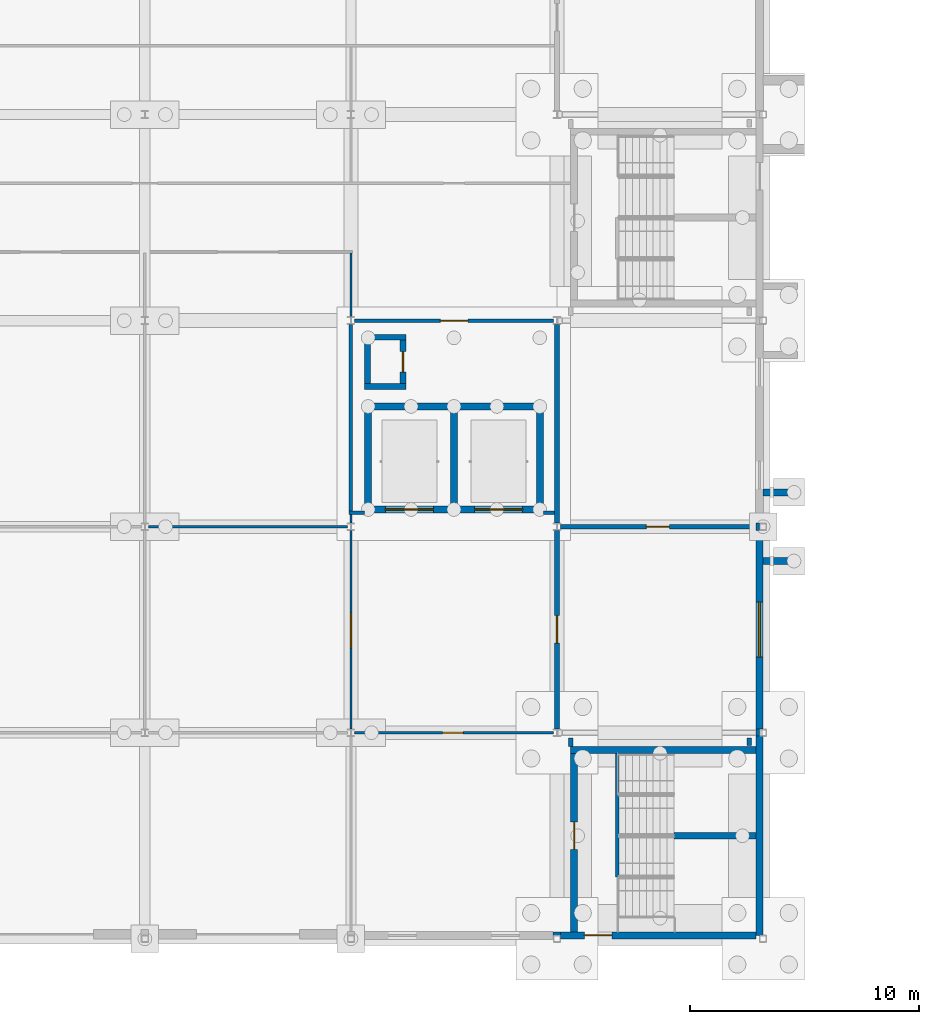
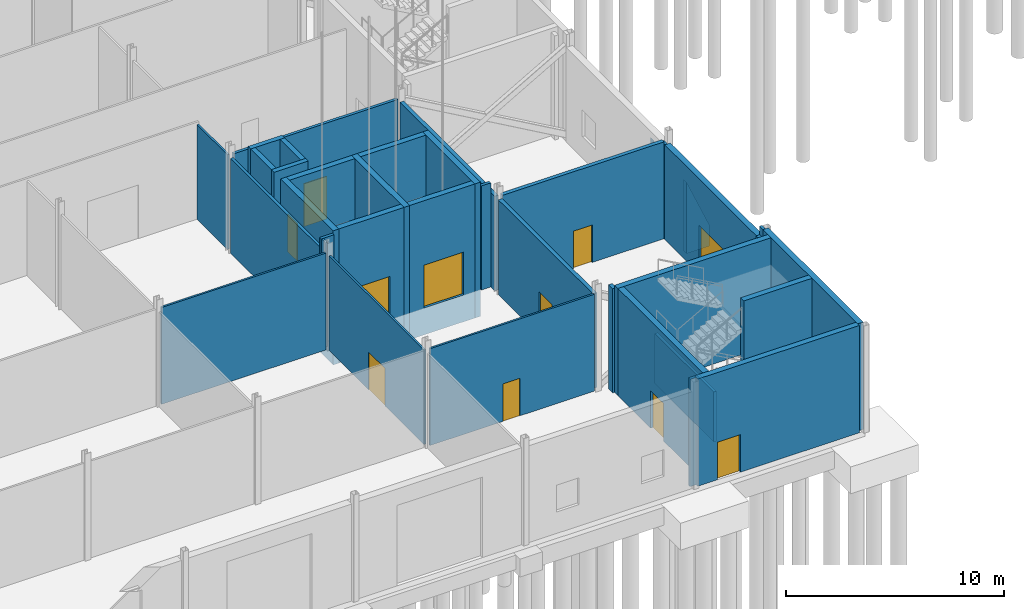
# One storey, part 101 of 139: 37 walls, 10 doors, 1 window, 11 openings.
"""IFC4 building model written with IfcOpenShell, lengths in metres."""

from ifc_helpers import new_model, si_unit, direction, frame, frame_2d, origin, place, context, subcontext, project, spatial, polyline, rectangle, outline, extrude, material, layer, layer_set, type_object, element, fill, save


model = new_model("IFC4")

# Units and contexts
model_context = context("Model", 3, precision=1e-05, world=origin(), true_north=direction((0.0, 1.0)))
body_context = subcontext(model_context, "Body", "Model", "MODEL_VIEW")
ifc_project = project(units=[si_unit("LENGTHUNIT", "METRE"), si_unit("AREAUNIT", "SQUARE_METRE"), si_unit("VOLUMEUNIT", "CUBIC_METRE"), si_unit("PLANEANGLEUNIT", "RADIAN"), si_unit("MASSUNIT", "GRAM", prefix="KILO")], contexts=[model_context])

# Site, building, storey
site_placement = place(None, origin())
site = spatial("IfcSite", under=ifc_project, at=site_placement, CompositionType="ELEMENT")
building_placement = place(site_placement, origin())
building = spatial("IfcBuilding", under=site, at=building_placement, Name="Shorebreak Coast Museum", CompositionType="ELEMENT")
storey_placement = place(building_placement, origin())
storey = spatial("IfcBuildingStorey", under=building, at=storey_placement, Name="L00", CompositionType="ELEMENT", Elevation=0.0)

# Walls
ifc_material_1 = material(Name="Concrete N50 (50 MPa)", Category="concrete")
ifc_layer_1 = layer(ifc_material_1, 0.14990234375)
ifc_layer_set_1 = layer_set([ifc_layer_1], Name="Concrete N50 (50 MPa)")
wall_type_1 = type_object("IfcWallType", Name="Column closure panel 150", PredefinedType="SOLIDWALL", material=ifc_layer_set_1)
for number, where, z_axis, x_axis, name in (
    (1, (107.827880859375, 0.22509765625, 0.0), (0.0, 0.0, 1.0), (1.0, 0.0, 0.0), "Column closure panel L00 S 13A"),
    (2, (116.77490234375, 8.85009765625, 0.0), (0.0, 0.0, 1.0), (0.0, 1.0, 0.0), "Column closure panel L00 E 14B"),
):
    element("IfcWall", number, at=place(storey_placement, frame(where, z_axis=z_axis, x_axis=x_axis)), inside=storey, type_object=wall_type_1, Name=name, PredefinedType="SOLIDWALL", context=body_context, shape_type="SweptSolid", body=[
        extrude(rectangle(XDim=0.322021484375, YDim=0.14990234375, at=frame_2d((0.1611328125, 0.0))), origin(), (0.0, 0.0, 1.0), 6.0),
    ])
wall_1_placement = place(storey_placement, frame((116.77490234375, 17.839111328125, 0.0), z_axis=(0.0, 0.0, 1.0), x_axis=(0.0, 1.0, 0.0)))
element("IfcWall", 3, at=wall_1_placement, inside=storey, type_object=wall_type_1, Name="Column closure panel L00 E 14C", PredefinedType="SOLIDWALL", context=body_context, shape_type="SweptSolid", body=[
    extrude(rectangle(XDim=0.32177734375, YDim=0.14990234375, at=frame_2d((0.160888671875, 0.0))), origin(), (0.0, 0.0, 1.0), 5.2919921875),
])
ifc_material_2 = material(Name="Plasterboard on steel stud", Category="steel")
ifc_layer_2 = layer(ifc_material_2, 0.14990234375)
ifc_layer_set_2 = layer_set([ifc_layer_2], Name="Plasterboard on steel stud")
wall_type_2 = type_object("IfcWallType", Name="Fire partition 150", PredefinedType="PARTITIONING", material=ifc_layer_set_2)
wall_2_placement = place(storey_placement, frame((98.925048828125, 18.60009765625, 0.0), z_axis=(0.0, 0.0, 1.0), x_axis=(1.0, 0.0, 0.0)))
element("IfcWall", 4, at=wall_2_placement, inside=storey, type_object=wall_type_2, Name="Partition L00-014", PredefinedType="PARTITIONING", context=body_context, shape_type="SweptSolid", body=[
    extrude(rectangle(XDim=0.675048828125, YDim=0.14990234375, at=frame_2d((0.33740234375, 0.0))), origin(), (0.0, 0.0, 1.0), 5.824951171875),
])
wall_3_placement = place(storey_placement, frame((107.39990234375, 18.60009765625, 0.0), z_axis=(0.0, 0.0, 1.0), x_axis=(1.0, 0.0, 0.0)))
element("IfcWall", 5, at=wall_3_placement, inside=storey, type_object=wall_type_2, Name="Partition L00-015", PredefinedType="PARTITIONING", context=body_context, shape_type="SweptSolid", body=[
    extrude(rectangle(XDim=0.5, YDim=0.14990234375, at=frame_2d((0.25, 0.0))), origin(), (0.0, 0.0, 1.0), 5.824951171875),
])

# Wall, opening, door
wall_4_placement = place(storey_placement, frame((99.154541015625, 27.0, 0.0), z_axis=(0.0, 0.0, 1.0), x_axis=(1.0, 0.0, 0.0)))
wall_4 = element("IfcWall", 6, at=wall_4_placement, inside=storey, type_object=wall_type_2, Name="Partition L00-016", PredefinedType="PARTITIONING", context=body_context, shape_type="SweptSolid", body=[
    extrude(rectangle(XDim=8.69091796875, YDim=0.14990234375, at=frame_2d((4.345458984375, 0.0))), origin(), (0.0, 0.0, 1.0), 5.418701171875),
])
opening_1_placement = place(wall_4_placement, frame((3.75, 0.0, 0.0)))
opening_1 = element("IfcOpeningElement", 7, at=opening_1_placement, cuts=wall_4, Name="Opening D0008", PredefinedType="OPENING", context=body_context, shape_type="SweptSolid", body=[
    extrude(rectangle(XDim=1.199951171875, YDim=2.39990234375, at=frame_2d((0.60009765625, 1.199951171875))), frame((0.0, 0.0849609375, 0.0), z_axis=(0.0, -1.0, 0.0), x_axis=(1.0, 0.0, 0.0)), (0.0, 0.0, 1.0), 0.169921875),
])
ifc_material_3 = material(Name="Steel", Category="steel")
door_type_1 = type_object("IfcDoorType", Name="Fire door 1200x2400 60", OperationType="SINGLE_SWING_LEFT", PredefinedType="DOOR", material=ifc_material_3)
door_1_placement = place(opening_1_placement, origin())
door_1 = element("IfcDoor", 8, at=door_1_placement, inside=storey, type_object=door_type_1, Name="Door D0008 Lift Services Room GL", OperationType="SINGLE_SWING_LEFT", OverallHeight=2.39990234375, OverallWidth=1.199951171875, PredefinedType="DOOR", context=body_context, shape_type="SweptSolid", body=[
    extrude(rectangle(XDim=1.199951171875, YDim=2.39990234375, at=frame_2d((0.60009765625, 1.199951171875))), frame((0.0, 0.02490234375, 0.0), z_axis=(0.0, -1.0, 0.0), x_axis=(1.0, 0.0, 0.0)), (0.0, 0.0, 1.0), 0.050048828125),
])
fill(opening_1, door_1)

# Wall
wall_5_placement = place(storey_placement, frame((99.0, 18.675048828125, 0.0), z_axis=(0.0, 0.0, 1.0), x_axis=(0.0, 1.0, 0.0)))
element("IfcWall", 9, at=wall_5_placement, inside=storey, type_object=wall_type_2, Name="Partition L00-138", PredefinedType="PARTITIONING", context=body_context, shape_type="SweptSolid", body=[
    extrude(rectangle(XDim=8.16455078125, YDim=0.14990234375, at=frame_2d((4.082275390625, 0.0))), origin(), (0.0, 0.0, 1.0), 5.2919921875),
])

# Wall, opening, door
ifc_material_4 = material(Name="Concrete masonry", Category="masonry")
ifc_layer_3 = layer(ifc_material_4, 0.199951171875)
ifc_layer_set_3 = layer_set([ifc_layer_3], Name="Concrete masonry")
wall_type_3 = type_object("IfcWallType", Name="Fire wall 200", PredefinedType="PARTITIONING", material=ifc_layer_set_3)
wall_6_placement = place(storey_placement, frame((108.154541015625, 18.0, 0.0), z_axis=(0.0, 0.0, 1.0), x_axis=(1.0, 0.0, 0.0)))
wall_6 = element("IfcWall", 10, at=wall_6_placement, inside=storey, type_object=wall_type_3, Name="Partition L00-013", PredefinedType="PARTITIONING", context=body_context, shape_type="SweptSolid", body=[
    extrude(rectangle(XDim=8.54541015625, YDim=0.199951171875, at=frame_2d((4.272705078125, 0.0))), origin(), (0.0, 0.0, 1.0), 5.418701171875),
])
opening_2_placement = place(wall_6_placement, frame((3.75, 0.0, 0.0)))
opening_2 = element("IfcOpeningElement", 11, at=opening_2_placement, cuts=wall_6, Name="Opening D0007", PredefinedType="OPENING", context=body_context, shape_type="SweptSolid", body=[
    extrude(rectangle(XDim=1.0, YDim=2.10009765625, at=frame_2d((0.5, 1.050048828125))), frame((0.0, 0.10986328125, 0.0), z_axis=(0.0, -1.0, 0.0), x_axis=(1.0, 0.0, 0.0)), (0.0, 0.0, 1.0), 0.219970703125),
])
ifc_material_5 = material(Name="Steel", Category="steel")
door_type_2 = type_object("IfcDoorType", Name="Fire door 1000x2100 120", OperationType="SINGLE_SWING_LEFT", PredefinedType="DOOR", material=ifc_material_5)
door_2_placement = place(opening_2_placement, origin())
door_2 = element("IfcDoor", 12, at=door_2_placement, inside=storey, type_object=door_type_2, Name="Door D0007 Sprinkler Valve Room", OperationType="SINGLE_SWING_LEFT", OverallHeight=2.10009765625, OverallWidth=1.0, PredefinedType="DOOR", context=body_context, shape_type="SweptSolid", body=[
    extrude(rectangle(XDim=1.0, YDim=2.10009765625, at=frame_2d((0.5, 1.050048828125))), frame((0.0, 0.02490234375, 0.0), z_axis=(0.0, -1.0, 0.0), x_axis=(1.0, 0.0, 0.0)), (0.0, 0.0, 1.0), 0.050048828125),
])
fill(opening_2, door_2)

wall_7_placement = place(storey_placement, frame((108.0, 9.160400390625, 0.0), z_axis=(0.0, 0.0, 1.0), x_axis=(0.0, 1.0, 0.0)))
wall_7 = element("IfcWall", 13, at=wall_7_placement, inside=storey, type_object=wall_type_3, Name="Partition L00-149", PredefinedType="PARTITIONING", context=body_context, shape_type="SweptSolid", body=[
    extrude(rectangle(XDim=8.67919921875, YDim=0.199951171875, at=frame_2d((4.339599609375, 0.0))), origin(), (0.0, 0.0, 1.0), 5.2919921875),
])
opening_3_placement = place(wall_7_placement, frame((3.75, 0.0, 0.0)))
opening_3 = element("IfcOpeningElement", 14, at=opening_3_placement, cuts=wall_7, Name="Opening D0006", PredefinedType="OPENING", context=body_context, shape_type="SweptSolid", body=[
    extrude(rectangle(XDim=1.199951171875, YDim=2.39990234375, at=frame_2d((0.60009765625, 1.199951171875))), frame((0.0, 0.10986328125, 0.0), z_axis=(0.0, -1.0, 0.0), x_axis=(1.0, 0.0, 0.0)), (0.0, 0.0, 1.0), 0.219970703125),
])
ifc_material_6 = material(Name="Steel", Category="steel")
door_type_3 = type_object("IfcDoorType", Name="Fire door 1200x2400 120", OperationType="SINGLE_SWING_LEFT", PredefinedType="DOOR", material=ifc_material_6)
door_3_placement = place(opening_3_placement, origin())
door_3 = element("IfcDoor", 15, at=door_3_placement, inside=storey, type_object=door_type_3, Name="Door D0006 Plant Room 2", OperationType="SINGLE_SWING_RIGHT", OverallHeight=2.39990234375, OverallWidth=1.199951171875, PredefinedType="DOOR", context=body_context, shape_type="SweptSolid", body=[
    extrude(rectangle(XDim=1.199951171875, YDim=2.39990234375, at=frame_2d((0.60009765625, 1.199951171875))), frame((0.0, 0.02490234375, 0.0), z_axis=(0.0, -1.0, 0.0), x_axis=(1.0, 0.0, 0.0)), (0.0, 0.0, 1.0), 0.050048828125),
])
fill(opening_3, door_3)

# Walls
wall_8_placement = place(storey_placement, frame((108.0, 18.160400390625, 0.0), z_axis=(0.0, 0.0, 1.0), x_axis=(0.0, 1.0, 0.0)))
element("IfcWall", 16, at=wall_8_placement, inside=storey, type_object=wall_type_3, Name="Partition L00-150", PredefinedType="PARTITIONING", context=body_context, shape_type="SweptSolid", body=[
    extrude(rectangle(XDim=8.67919921875, YDim=0.199951171875, at=frame_2d((4.339599609375, 0.0))), origin(), (0.0, 0.0, 1.0), 5.2919921875),
])
wall_9_placement = place(storey_placement, frame((108.60009765625, 8.39990234375, 0.0), z_axis=(0.0, 0.0, 1.0), x_axis=(0.0, 1.0, 0.0)))
element("IfcWall", 17, at=wall_9_placement, inside=storey, type_object=wall_type_3, Name="Partition L00-155", PredefinedType="PARTITIONING", context=body_context, shape_type="SweptSolid", body=[
    extrude(rectangle(XDim=0.380126953125, YDim=0.199951171875, at=frame_2d((0.18994140625, 0.0))), origin(), (0.0, 0.0, 1.0), 5.824951171875),
])
wall_10_placement = place(storey_placement, frame((116.39990234375, 8.449951171875, 0.0), z_axis=(0.0, 0.0, 1.0), x_axis=(0.0, 1.0, 0.0)))
element("IfcWall", 18, at=wall_10_placement, inside=storey, type_object=wall_type_3, Name="Partition L00-161", PredefinedType="PARTITIONING", context=body_context, shape_type="SweptSolid", body=[
    extrude(rectangle(XDim=0.330078125, YDim=0.199951171875, at=frame_2d((0.1650390625, 0.0))), origin(), (0.0, 0.0, 1.0), 5.824951171875),
])

# Wall, opening, door
ifc_material_7 = material(Name="Plasterboard on steel stud", Category="steel")
ifc_layer_4 = layer(ifc_material_7, 0.10009765625)
ifc_layer_set_4 = layer_set([ifc_layer_4], Name="Plasterboard on steel stud")
wall_type_4 = type_object("IfcWallType", Name="Partition 100", PredefinedType="PARTITIONING", material=ifc_layer_set_4)
wall_11_placement = place(storey_placement, frame((99.154541015625, 9.0, 0.0), z_axis=(0.0, 0.0, 1.0), x_axis=(1.0, 0.0, 0.0)))
wall_11 = element("IfcWall", 19, at=wall_11_placement, inside=storey, type_object=wall_type_4, Name="Partition L00-007", PredefinedType="PARTITIONING", context=body_context, shape_type="SweptSolid", body=[
    extrude(rectangle(XDim=8.69091796875, YDim=0.10009765625, at=frame_2d((4.345458984375, 0.0))), origin(), (0.0, 0.0, 1.0), 5.418701171875),
])
opening_4_placement = place(wall_11_placement, frame((3.85009765625, 0.0, 0.0)))
opening_4 = element("IfcOpeningElement", 20, at=opening_4_placement, cuts=wall_11, Name="Opening D0002", PredefinedType="OPENING", context=body_context, shape_type="SweptSolid", body=[
    extrude(rectangle(XDim=0.89990234375, YDim=2.10009765625, at=frame_2d((0.449951171875, 1.050048828125))), frame((0.0, 0.06005859375, 0.0), z_axis=(0.0, -1.0, 0.0), x_axis=(1.0, 0.0, 0.0)), (0.0, 0.0, 1.0), 0.1201171875),
])
ifc_material_8 = material(Name="Timber", Category="wood")
door_type_4 = type_object("IfcDoorType", Name="Interior door 900x2100", OperationType="SINGLE_SWING_LEFT", PredefinedType="DOOR", material=ifc_material_8)
door_4_placement = place(opening_4_placement, origin())
door_4 = element("IfcDoor", 21, at=door_4_placement, inside=storey, type_object=door_type_4, Name="Door D0002 Dock Office", OperationType="SINGLE_SWING_LEFT", OverallHeight=2.10009765625, OverallWidth=0.89990234375, PredefinedType="DOOR", context=body_context, shape_type="SweptSolid", body=[
    extrude(rectangle(XDim=0.89990234375, YDim=2.10009765625, at=frame_2d((0.449951171875, 1.050048828125))), frame((0.0, 0.02490234375, 0.0), z_axis=(0.0, -1.0, 0.0), x_axis=(1.0, 0.0, 0.0)), (0.0, 0.0, 1.0), 0.050048828125),
])
fill(opening_4, door_4)

# Wall
wall_12_placement = place(storey_placement, frame((90.154541015625, 18.0, 0.0), z_axis=(0.0, 0.0, 1.0), x_axis=(1.0, 0.0, 0.0)))
element("IfcWall", 22, at=wall_12_placement, inside=storey, type_object=wall_type_4, Name="Partition L00-012", PredefinedType="PARTITIONING", context=body_context, shape_type="SweptSolid", body=[
    extrude(rectangle(XDim=8.69091796875, YDim=0.10009765625, at=frame_2d((4.345458984375, 0.0))), origin(), (0.0, 0.0, 1.0), 5.418701171875),
])

# Wall, opening, door
wall_13_placement = place(storey_placement, frame((99.0, 9.160400390625, 0.0), z_axis=(0.0, 0.0, 1.0), x_axis=(0.0, 1.0, 0.0)))
wall_13 = element("IfcWall", 23, at=wall_13_placement, inside=storey, type_object=wall_type_4, Name="Partition L00-136", PredefinedType="PARTITIONING", context=body_context, shape_type="SweptSolid", body=[
    extrude(rectangle(XDim=8.67919921875, YDim=0.10009765625, at=frame_2d((4.339599609375, 0.0))), origin(), (0.0, 0.0, 1.0), 5.2919921875),
])
opening_5_placement = place(wall_13_placement, frame((3.550048828125, 0.0, 0.0)))
opening_5 = element("IfcOpeningElement", 24, at=opening_5_placement, cuts=wall_13, Name="Opening D0004", PredefinedType="OPENING", context=body_context, shape_type="SweptSolid", body=[
    extrude(rectangle(XDim=1.5, YDim=2.10009765625, at=frame_2d((0.75, 1.050048828125))), frame((0.0, 0.06005859375, 0.0), z_axis=(0.0, -1.0, 0.0), x_axis=(1.0, 0.0, 0.0)), (0.0, 0.0, 1.0), 0.1201171875),
])
ifc_material_9 = material(Name="Timber", Category="wood")
door_type_5 = type_object("IfcDoorType", Name="Interior door 1500x2100", OperationType="DOUBLE_DOOR_SINGLE_SWING", PredefinedType="DOOR", material=ifc_material_9)
door_5_placement = place(opening_5_placement, origin())
door_5 = element("IfcDoor", 25, at=door_5_placement, inside=storey, type_object=door_type_5, Name="Door D0004 Refuse Store", OperationType="DOUBLE_DOOR_SINGLE_SWING", OverallHeight=2.10009765625, OverallWidth=1.5, PredefinedType="DOOR", context=body_context, shape_type="SweptSolid", body=[
    extrude(rectangle(XDim=1.5, YDim=2.10009765625, at=frame_2d((0.75, 1.050048828125))), frame((0.0, 0.02490234375, 0.0), z_axis=(0.0, -1.0, 0.0), x_axis=(1.0, 0.0, 0.0)), (0.0, 0.0, 1.0), 0.050048828125),
])
fill(opening_5, door_5)

# Walls
wall_14_placement = place(storey_placement, frame((99.0, 18.160400390625, 0.0), z_axis=(0.0, 0.0, 1.0), x_axis=(0.0, 1.0, 0.0)))
element("IfcWall", 26, at=wall_14_placement, inside=storey, type_object=wall_type_4, Name="Partition L00-137", PredefinedType="PARTITIONING", context=body_context, shape_type="SweptSolid", body=[
    extrude(rectangle(XDim=0.364501953125, YDim=0.10009765625, at=frame_2d((0.18212890625, 0.0))), origin(), (0.0, 0.0, 1.0), 5.824951171875),
])
wall_15_placement = place(storey_placement, frame((99.0, 27.160400390625, 0.0), z_axis=(0.0, 0.0, 1.0), x_axis=(0.0, 1.0, 0.0)))
element("IfcWall", 27, at=wall_15_placement, inside=storey, type_object=wall_type_4, Name="Partition L00-139", PredefinedType="PARTITIONING", context=body_context, shape_type="SweptSolid", body=[
    extrude(rectangle(XDim=2.78955078125, YDim=0.10009765625, at=frame_2d((1.394775390625, 0.0))), origin(), (0.0, 0.0, 1.0), 5.2919921875),
])

# Wall, opening, window
ifc_material_10 = material(Name="Concrete N50 (50 MPa)", Category="concrete")
ifc_layer_5 = layer(ifc_material_10, 0.300048828125)
ifc_layer_set_5 = layer_set([ifc_layer_5], Name="Concrete N50 (50 MPa)")
wall_type_5 = type_object("IfcWallType", Name="Plant wall 300 rated", PredefinedType="SOLIDWALL", material=ifc_layer_set_5)
wall_16_placement = place(storey_placement, frame((116.85009765625, 9.172119140625, 0.0), z_axis=(0.0, 0.0, 1.0), x_axis=(0.0, 1.0, 0.0)))
wall_16 = element("IfcWall", 28, at=wall_16_placement, inside=storey, type_object=wall_type_5, Name="External wall L00 E 14B", PredefinedType="SOLIDWALL", context=body_context, shape_type="SweptSolid", body=[
    extrude(rectangle(XDim=8.6669921875, YDim=0.300048828125, at=frame_2d((4.33349609375, 0.0))), origin(), (0.0, 0.0, 1.0), 5.2919921875),
])
opening_6_placement = place(wall_16_placement, frame((3.1279296875, 0.0, 0.89990234375)))
opening_6 = element("IfcOpeningElement", 29, at=opening_6_placement, cuts=wall_16, Name="Opening WN0001", PredefinedType="OPENING", context=body_context, shape_type="SweptSolid", body=[
    extrude(rectangle(XDim=2.39990234375, YDim=1.800048828125, at=frame_2d((1.199951171875, 0.89990234375))), frame((0.0, 0.159912109375, 0.0), z_axis=(0.0, -1.0, 0.0), x_axis=(1.0, 0.0, 0.0)), (0.0, 0.0, 1.0), 0.320068359375),
])
ifc_material_11 = material(Name="Aluminium", Category="aluminium")
window_type = type_object("IfcWindowType", Name="Plant louvre 2400 x 1800", PartitioningType="TRIPLE_PANEL_VERTICAL", PredefinedType="WINDOW", material=ifc_material_11)
window_placement = place(opening_6_placement, origin())
window = element("IfcWindow", 30, at=window_placement, inside=storey, type_object=window_type, Name="Louvre WN0001", OverallHeight=1.800048828125, OverallWidth=2.39990234375, PartitioningType="TRIPLE_PANEL_VERTICAL", PredefinedType="WINDOW", context=body_context, shape_type="SweptSolid", body=[
    extrude(rectangle(XDim=2.39990234375, YDim=1.800048828125, at=frame_2d((1.199951171875, 0.89990234375))), frame((0.0, 0.030029296875, 0.0), z_axis=(0.0, -1.0, 0.0), x_axis=(1.0, 0.0, 0.0)), (0.0, 0.0, 1.0), 0.06005859375),
])
fill(opening_6, window)

# Walls
ifc_material_12 = material(Name="Concrete N50 (50 MPa)", Category="concrete")
ifc_layer_6 = layer(ifc_material_12, 0.25)
ifc_layer_set_6 = layer_set([ifc_layer_6], Name="Concrete N50 (50 MPa)")
wall_type_6 = type_object("IfcWallType", Name="RC riser wall 250", PredefinedType="STANDARD", material=ifc_layer_set_6)
for number, where, z_axis, x_axis, name in (
    (31, (99.60009765625, 24.125, 0.0), (0.0, 0.0, 1.0), (1.0, 0.0, 0.0), "Riser wall R-LBG L00 S"),
    (32, (99.60009765625, 26.27490234375, 0.0), (0.0, 0.0, 1.0), (1.0, 0.0, 0.0), "Riser wall R-LBG L00 N"),
):
    element("IfcWall", number, at=place(storey_placement, frame(where, z_axis=z_axis, x_axis=x_axis)), inside=storey, type_object=wall_type_6, Name=name, PredefinedType="STANDARD", context=body_context, shape_type="SweptSolid", body=[
        extrude(rectangle(XDim=1.7998046875, YDim=0.25, at=frame_2d((0.89990234375, 0.0))), origin(), (0.0, 0.0, 1.0), 6.0),
    ])
wall_17_placement = place(storey_placement, frame((99.72509765625, 24.25, 0.0), z_axis=(0.0, 0.0, 1.0), x_axis=(0.0, 1.0, 0.0)))
element("IfcWall", 33, at=wall_17_placement, inside=storey, type_object=wall_type_6, Name="Riser wall R-LBG L00 W", PredefinedType="STANDARD", context=body_context, shape_type="SweptSolid", body=[
    extrude(rectangle(XDim=1.89990234375, YDim=0.25, at=frame_2d((0.949951171875, 0.0))), origin(), (0.0, 0.0, 1.0), 6.0),
])

# Wall, opening, door
wall_18_placement = place(storey_placement, frame((101.27490234375, 24.25, 0.0), z_axis=(0.0, 0.0, 1.0), x_axis=(0.0, 1.0, 0.0)))
wall_18 = element("IfcWall", 34, at=wall_18_placement, inside=storey, type_object=wall_type_6, Name="Riser wall R-LBG L00 E", PredefinedType="STANDARD", context=body_context, shape_type="SweptSolid", body=[
    extrude(rectangle(XDim=1.89990234375, YDim=0.25, at=frame_2d((0.949951171875, 0.0))), origin(), (0.0, 0.0, 1.0), 6.0),
])
opening_7_placement = place(wall_18_placement, frame((0.5, 0.0, 0.0)))
opening_7 = element("IfcOpeningElement", 35, at=opening_7_placement, cuts=wall_18, Name="Opening D0608", PredefinedType="OPENING", context=body_context, shape_type="SweptSolid", body=[
    extrude(rectangle(XDim=0.89990234375, YDim=2.10009765625, at=frame_2d((0.449951171875, 1.050048828125))), frame((0.0, 0.135009765625, 0.0), z_axis=(0.0, -1.0, 0.0), x_axis=(1.0, 0.0, 0.0)), (0.0, 0.0, 1.0), 0.27001953125),
])
ifc_material_13 = material(Name="Steel Grade 300", Category="steel")
door_type_6 = type_object("IfcDoorType", Name="Riser door 900x2100", OperationType="SINGLE_SWING_LEFT", PredefinedType="DOOR", material=ifc_material_13)
door_6_placement = place(opening_7_placement, origin())
door_6 = element("IfcDoor", 36, at=door_6_placement, inside=storey, type_object=door_type_6, Name="Riser door R-LBG L00", OperationType="SINGLE_SWING_LEFT", OverallHeight=2.10009765625, OverallWidth=0.89990234375, PredefinedType="DOOR", context=body_context, shape_type="SweptSolid", body=[
    extrude(rectangle(XDim=0.89990234375, YDim=2.10009765625, at=frame_2d((0.449951171875, 1.050048828125))), frame((0.0, 0.02490234375, 0.0), z_axis=(0.0, -1.0, 0.0), x_axis=(1.0, 0.0, 0.0)), (0.0, 0.0, 1.0), 0.050048828125),
])
fill(opening_7, door_6)

ifc_material_14 = material(Name="Concrete N50 (50 MPa)", Category="concrete")
ifc_layer_7 = layer(ifc_material_14, 0.300048828125)
ifc_layer_set_7 = layer_set([ifc_layer_7], Name="Concrete N50 (50 MPa)")
wall_type_7 = type_object("IfcWallType", Name="RC wall 300", PredefinedType="SHEAR", material=ifc_layer_set_7)
wall_19_placement = place(storey_placement, frame((108.14990234375, 0.14990234375, 0.0), z_axis=(0.0, 0.0, 1.0), x_axis=(1.0, 0.0, 0.0)))
wall_19 = element("IfcWall", 37, at=wall_19_placement, inside=storey, type_object=wall_type_7, Name="Stair core wall ST12 L00 S", PredefinedType="SHEAR", context=body_context, shape_type="SweptSolid", body=[
    extrude(rectangle(XDim=8.550048828125, YDim=0.300048828125, at=frame_2d((4.27490234375, 0.0))), origin(), (0.0, 0.0, 1.0), 6.0),
])
opening_8_placement = place(wall_19_placement, frame((1.050048828125, 0.0, 0.0)))
opening_8 = element("IfcOpeningElement", 38, at=opening_8_placement, cuts=wall_19, Name="Opening D0712", PredefinedType="OPENING", context=body_context, shape_type="SweptSolid", body=[
    extrude(rectangle(XDim=1.199951171875, YDim=2.10009765625, at=frame_2d((0.60009765625, 1.050048828125))), frame((0.0, 0.159912109375, 0.0), z_axis=(0.0, -1.0, 0.0), x_axis=(1.0, 0.0, 0.0)), (0.0, 0.0, 1.0), 0.320068359375),
])
ifc_material_15 = material(Name="Steel Grade 300", Category="steel")
door_type_7 = type_object("IfcDoorType", Name="Exit door 1200x2100", OperationType="SINGLE_SWING_LEFT", PredefinedType="DOOR", material=ifc_material_15)
door_7_placement = place(opening_8_placement, frame((1.199951171875, 0.0, 0.0), z_axis=(0.0, 0.0, 1.0), x_axis=(-1.0, 0.0, 0.0)))
door_7 = element("IfcDoor", 39, at=door_7_placement, inside=storey, type_object=door_type_7, Name="Exit door ST12", OperationType="SINGLE_SWING_RIGHT", OverallHeight=2.10009765625, OverallWidth=1.199951171875, PredefinedType="DOOR", context=body_context, shape_type="SweptSolid", body=[
    extrude(rectangle(XDim=1.199951171875, YDim=2.10009765625, at=frame_2d((0.60009765625, 1.050048828125))), frame((0.0, 0.02490234375, 0.0), z_axis=(0.0, -1.0, 0.0), x_axis=(1.0, 0.0, 0.0)), (0.0, 0.0, 1.0), 0.050048828125),
])
fill(opening_8, door_7)

# Wall
wall_20_placement = place(storey_placement, frame((108.60009765625, 8.25, 0.0), z_axis=(0.0, 0.0, 1.0), x_axis=(1.0, 0.0, 0.0)))
element("IfcWall", 40, at=wall_20_placement, inside=storey, type_object=wall_type_7, Name="Stair core wall ST12 L00 N", PredefinedType="SHEAR", context=body_context, shape_type="SweptSolid", body=[
    extrude(rectangle(XDim=8.099853515625, YDim=0.300048828125, at=frame_2d((4.0498046875, 0.0))), origin(), (0.0, 0.0, 1.0), 6.0),
])

# Wall, opening, door
wall_21_placement = place(storey_placement, frame((108.75, 0.300048828125, 0.0), z_axis=(0.0, 0.0, 1.0), x_axis=(0.0, 1.0, 0.0)))
wall_21 = element("IfcWall", 41, at=wall_21_placement, inside=storey, type_object=wall_type_7, Name="Stair core wall ST12 L00 W", PredefinedType="SHEAR", context=body_context, shape_type="SweptSolid", body=[
    extrude(rectangle(XDim=7.800048828125, YDim=0.300048828125, at=frame_2d((3.89990234375, 0.0))), origin(), (0.0, 0.0, 1.0), 6.0),
])
opening_9_placement = place(wall_21_placement, frame((3.60009765625, 0.0, 0.0)))
opening_9 = element("IfcOpeningElement", 42, at=opening_9_placement, cuts=wall_21, Name="Opening D0812", PredefinedType="OPENING", context=body_context, shape_type="SweptSolid", body=[
    extrude(rectangle(XDim=1.199951171875, YDim=2.10009765625, at=frame_2d((0.60009765625, 1.050048828125))), frame((0.0, 0.159912109375, 0.0), z_axis=(0.0, -1.0, 0.0), x_axis=(1.0, 0.0, 0.0)), (0.0, 0.0, 1.0), 0.320068359375),
])
ifc_material_16 = material(Name="Steel Grade 300", Category="steel")
door_type_8 = type_object("IfcDoorType", Name="Fire door 1200x2100", OperationType="SINGLE_SWING_LEFT", PredefinedType="DOOR", material=ifc_material_16)
door_8_placement = place(opening_9_placement, origin())
door_8 = element("IfcDoor", 43, at=door_8_placement, inside=storey, type_object=door_type_8, Name="Stair door ST12 L00", OperationType="SINGLE_SWING_RIGHT", OverallHeight=2.10009765625, OverallWidth=1.199951171875, PredefinedType="DOOR", context=body_context, shape_type="SweptSolid", body=[
    extrude(rectangle(XDim=1.199951171875, YDim=2.10009765625, at=frame_2d((0.60009765625, 1.050048828125))), frame((0.0, 0.02490234375, 0.0), z_axis=(0.0, -1.0, 0.0), x_axis=(1.0, 0.0, 0.0)), (0.0, 0.0, 1.0), 0.050048828125),
])
fill(opening_9, door_8)

# Walls
wall_22_placement = place(storey_placement, frame((116.85009765625, 0.14990234375, 0.0), z_axis=(0.0, 0.0, 1.0), x_axis=(0.0, 1.0, 0.0)))
element("IfcWall", 44, at=wall_22_placement, inside=storey, type_object=wall_type_7, Name="Stair core wall ST12 L00 E", PredefinedType="SHEAR", context=body_context, shape_type="SweptSolid", body=[
    extrude(rectangle(XDim=8.7001953125, YDim=0.300048828125, at=frame_2d((4.35009765625, 0.0))), origin(), (0.0, 0.0, 1.0), 6.0),
])
wall_23_placement = place(storey_placement, frame((113.10009765625, 4.5, 0.0), z_axis=(0.0, 0.0, 1.0), x_axis=(1.0, 0.0, 0.0)))
element("IfcWall", 45, at=wall_23_placement, inside=storey, type_object=wall_type_7, Name="Stair spine wall ST12 L00", PredefinedType="SHEAR", context=body_context, shape_type="SweptSolid", body=[
    extrude(rectangle(XDim=3.599853515625, YDim=0.300048828125, at=frame_2d((1.7998046875, 0.0))), origin(), (0.0, 0.0, 1.0), 6.0),
])
for number, where, z_axis, x_axis, name in (
    (46, (99.75, 18.60009765625, -1.5), (0.0, 0.0, 1.0), (0.0, 1.0, 0.0), "Lift shaft wall LBG L00 1"),
    (47, (103.5, 18.60009765625, -1.5), (0.0, 0.0, 1.0), (0.0, 1.0, 0.0), "Lift shaft wall LBG L00 2"),
    (48, (107.25, 18.60009765625, -1.5), (0.0, 0.0, 1.0), (0.0, 1.0, 0.0), "Lift shaft wall LBG L00 3"),
):
    element("IfcWall", number, at=place(storey_placement, frame(where, z_axis=z_axis, x_axis=x_axis)), inside=storey, type_object=wall_type_7, Name=name, PredefinedType="SHEAR", context=body_context, shape_type="SweptSolid", body=[
        extrude(rectangle(XDim=4.7998046875, YDim=0.300048828125, at=frame_2d((2.39990234375, 0.0))), origin(), (0.0, 0.0, 1.0), 7.5),
    ])

# Wall, opening, door
wall_24_placement = place(storey_placement, frame((99.89990234375, 18.75, -1.5), z_axis=(0.0, 0.0, 1.0), x_axis=(1.0, 0.0, 0.0)))
wall_24 = element("IfcWall", 49, at=wall_24_placement, inside=storey, type_object=wall_type_7, Name="Lift shaft wall GL1 L00 F", PredefinedType="SHEAR", context=body_context, shape_type="SweptSolid", body=[
    extrude(rectangle(XDim=3.4501953125, YDim=0.300048828125, at=frame_2d((1.72509765625, 0.0))), origin(), (0.0, 0.0, 1.0), 7.5),
])
opening_10_placement = place(wall_24_placement, frame((0.60009765625, 0.0, 1.5)))
opening_10 = element("IfcOpeningElement", 50, at=opening_10_placement, cuts=wall_24, Name="Opening LD0-GL1", PredefinedType="OPENING", context=body_context, shape_type="SweptSolid", body=[
    extrude(rectangle(XDim=2.10009765625, YDim=2.39990234375, at=frame_2d((1.050048828125, 1.199951171875))), frame((0.0, 0.159912109375, 0.0), z_axis=(0.0, -1.0, 0.0), x_axis=(1.0, 0.0, 0.0)), (0.0, 0.0, 1.0), 0.320068359375),
])
ifc_material_17 = material(Name="Steel Grade 300", Category="steel")
door_type_9 = type_object("IfcDoorType", Name="Landing door 2100x2400", OperationType="DOUBLE_DOOR_SLIDING", PredefinedType="DOOR", material=ifc_material_17)
door_9_placement = place(opening_10_placement, origin())
door_9 = element("IfcDoor", 51, at=door_9_placement, inside=storey, type_object=door_type_9, Name="Landing door GL1 L00", OperationType="DOUBLE_DOOR_SLIDING", OverallHeight=2.39990234375, OverallWidth=2.10009765625, PredefinedType="DOOR", context=body_context, shape_type="SweptSolid", body=[
    extrude(rectangle(XDim=2.10009765625, YDim=2.39990234375, at=frame_2d((1.050048828125, 1.199951171875))), frame((0.0, 0.02490234375, 0.0), z_axis=(0.0, -1.0, 0.0), x_axis=(1.0, 0.0, 0.0)), (0.0, 0.0, 1.0), 0.050048828125),
])
fill(opening_10, door_9)

# Wall
wall_25_placement = place(storey_placement, frame((99.89990234375, 23.25, -1.5), z_axis=(0.0, 0.0, 1.0), x_axis=(1.0, 0.0, 0.0)))
element("IfcWall", 52, at=wall_25_placement, inside=storey, type_object=wall_type_7, Name="Lift shaft wall GL1 L00 B", PredefinedType="SHEAR", context=body_context, shape_type="SweptSolid", body=[
    extrude(rectangle(XDim=3.4501953125, YDim=0.300048828125, at=frame_2d((1.72509765625, 0.0))), origin(), (0.0, 0.0, 1.0), 7.5),
])

# Wall, opening, door
wall_26_placement = place(storey_placement, frame((103.64990234375, 18.75, -1.5), z_axis=(0.0, 0.0, 1.0), x_axis=(1.0, 0.0, 0.0)))
wall_26 = element("IfcWall", 53, at=wall_26_placement, inside=storey, type_object=wall_type_7, Name="Lift shaft wall GL2 L00 F", PredefinedType="SHEAR", context=body_context, shape_type="SweptSolid", body=[
    extrude(rectangle(XDim=3.4501953125, YDim=0.300048828125, at=frame_2d((1.72509765625, 0.0))), origin(), (0.0, 0.0, 1.0), 7.5),
])
opening_11_placement = place(wall_26_placement, frame((0.75, 0.0, 1.5)))
opening_11 = element("IfcOpeningElement", 54, at=opening_11_placement, cuts=wall_26, Name="Opening LD0-GL2", PredefinedType="OPENING", context=body_context, shape_type="SweptSolid", body=[
    extrude(rectangle(XDim=2.10009765625, YDim=2.39990234375, at=frame_2d((1.050048828125, 1.199951171875))), frame((0.0, 0.159912109375, 0.0), z_axis=(0.0, -1.0, 0.0), x_axis=(1.0, 0.0, 0.0)), (0.0, 0.0, 1.0), 0.320068359375),
])
door_10_placement = place(opening_11_placement, origin())
door_10 = element("IfcDoor", 55, at=door_10_placement, inside=storey, type_object=door_type_9, Name="Landing door GL2 L00", OperationType="DOUBLE_DOOR_SLIDING", OverallHeight=2.39990234375, OverallWidth=2.10009765625, PredefinedType="DOOR", context=body_context, shape_type="SweptSolid", body=[
    extrude(rectangle(XDim=2.10009765625, YDim=2.39990234375, at=frame_2d((1.050048828125, 1.199951171875))), frame((0.0, 0.02490234375, 0.0), z_axis=(0.0, -1.0, 0.0), x_axis=(1.0, 0.0, 0.0)), (0.0, 0.0, 1.0), 0.050048828125),
])
fill(opening_11, door_10)

# Walls
wall_27_placement = place(storey_placement, frame((103.64990234375, 23.25, -1.5), z_axis=(0.0, 0.0, 1.0), x_axis=(1.0, 0.0, 0.0)))
element("IfcWall", 56, at=wall_27_placement, inside=storey, type_object=wall_type_7, Name="Lift shaft wall GL2 L00 B", PredefinedType="SHEAR", context=body_context, shape_type="SweptSolid", body=[
    extrude(rectangle(XDim=3.4501953125, YDim=0.300048828125, at=frame_2d((1.72509765625, 0.0))), origin(), (0.0, 0.0, 1.0), 7.5),
])
ifc_material_18 = material(Name="Concrete N50 (50 MPa)", Category="concrete")
ifc_layer_8 = layer(ifc_material_18, 0.300048828125)
ifc_layer_set_8 = layer_set([ifc_layer_8], Name="Concrete N50 (50 MPa)")
wall_type_8 = type_object("IfcWallType", Name="Raked fin 300", PredefinedType="SOLIDWALL", material=ifc_layer_set_8)
wall_28_placement = place(storey_placement, frame((117.0, 16.5, 0.0), z_axis=(0.0, 0.0, 1.0), x_axis=(1.0, 0.0, 0.0)))
element("IfcWall", 57, at=wall_28_placement, inside=storey, type_object=wall_type_8, Name="Raked fin SE40", PredefinedType="SOLIDWALL", context=body_context, shape_type="SweptSolid", body=[
    extrude(outline(polyline([(0.0, 0.0), (1.199951171875, 0.0), (1.199951171875, 1.199951171875), (0.0, 4.0), (0.0, 0.0)])), frame((0.0, 0.14990234375, 0.0), z_axis=(0.0, -1.0, 0.0), x_axis=(1.0, 0.0, 0.0)), (0.0, 0.0, 1.0), 0.300048828125),
])
wall_29_placement = place(storey_placement, frame((117.0, 19.5, 0.0), z_axis=(0.0, 0.0, 1.0), x_axis=(1.0, 0.0, 0.0)))
element("IfcWall", 58, at=wall_29_placement, inside=storey, type_object=wall_type_8, Name="Raked fin SE41", PredefinedType="SOLIDWALL", context=body_context, shape_type="SweptSolid", body=[
    extrude(outline(polyline([(0.0, 0.0), (1.199951171875, 0.0), (1.199951171875, 1.199951171875), (0.0, 4.5), (0.0, 0.0)])), frame((0.0, 0.14990234375, 0.0), z_axis=(0.0, -1.0, 0.0), x_axis=(1.0, 0.0, 0.0)), (0.0, 0.0, 1.0), 0.300048828125),
])
ifc_material_19 = material(Name="Concrete N50 (50 MPa)", Category="concrete")
ifc_layer_9 = layer(ifc_material_19, 0.14990234375)
ifc_layer_set_9 = layer_set([ifc_layer_9], Name="Concrete N50 (50 MPa)")
wall_type_9 = type_object("IfcWallType", Name="Understair wall 150", PredefinedType="STANDARD", material=ifc_layer_set_9)
wall_30_placement = place(storey_placement, frame((110.625, 2.699951171875, 0.0), z_axis=(0.0, 0.0, 1.0), x_axis=(0.0, 1.0, 0.0)))
element("IfcWall", 59, at=wall_30_placement, inside=storey, type_object=wall_type_9, Name="Understair wall ST12 L00 floor", PredefinedType="STANDARD", context=body_context, shape_type="SweptSolid", body=[
    extrude(rectangle(XDim=5.400146484375, YDim=0.14990234375, at=frame_2d((2.7001953125, 0.0))), origin(), (0.0, 0.0, 1.0), 2.800048828125),
])

save(model, "model.ifc")
